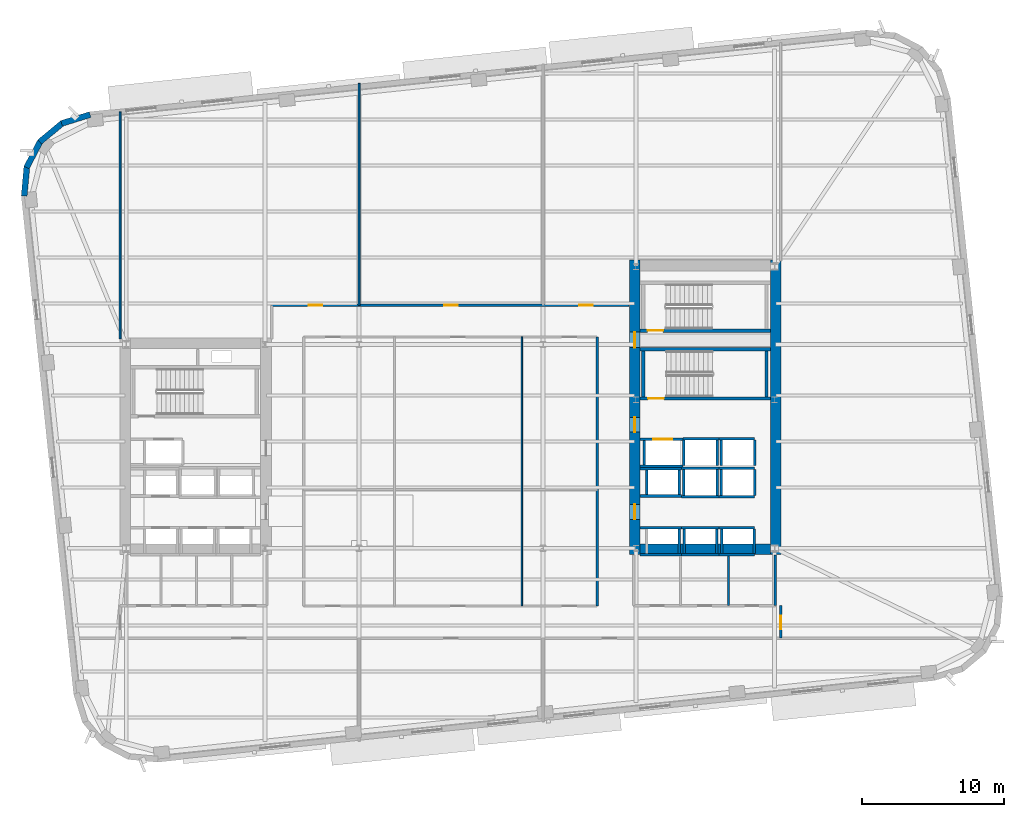
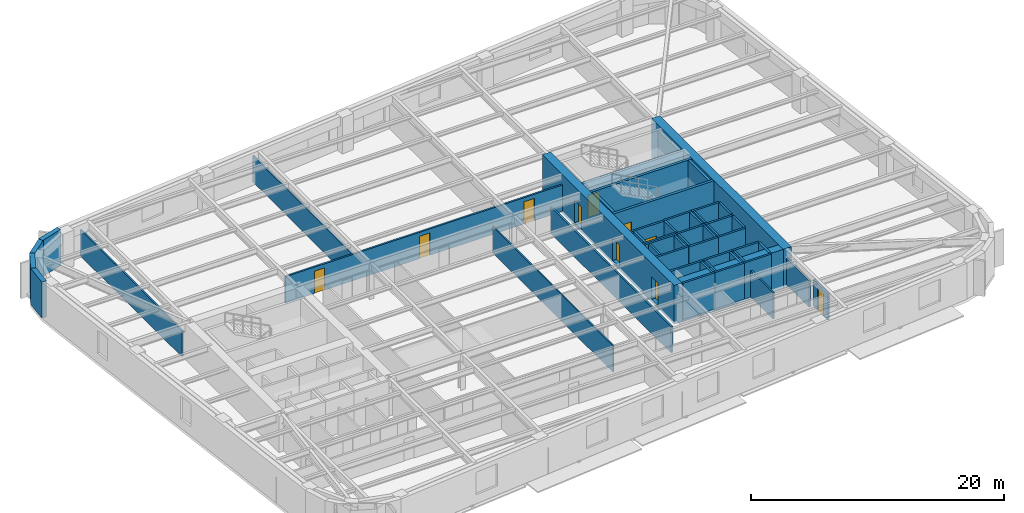
# One storey, part 6 of 14: 52 walls, 10 doors, 10 openings.
"""IFC4 building model written with IfcOpenShell, lengths in metres."""

from ifc_helpers import new_model, si_unit, direction, frame, frame_2d, origin, place, context, subcontext, project, spatial, rectangle, extrude, material, layer, layer_set, type_object, element, fill, save


model = new_model("IFC4")

# Units and contexts
model_context = context("Model", 3, precision=1e-05, world=origin(), true_north=direction((0.0, 1.0)))
body_context = subcontext(model_context, "Body", "Model", "MODEL_VIEW")
ifc_project = project(units=[si_unit("LENGTHUNIT", "METRE"), si_unit("AREAUNIT", "SQUARE_METRE"), si_unit("VOLUMEUNIT", "CUBIC_METRE"), si_unit("PLANEANGLEUNIT", "RADIAN"), si_unit("MASSUNIT", "GRAM", prefix="KILO")], contexts=[model_context])

# Site, building, storey
site_placement = place(None, origin())
site = spatial("IfcSite", under=ifc_project, at=site_placement, CompositionType="ELEMENT")
building_placement = place(site_placement, origin())
building = spatial("IfcBuilding", under=site, at=building_placement, Name="Kolvaren Arena Tower", CompositionType="ELEMENT")
storey_placement = place(building_placement, frame((0.0, 0.0, 130.75)))
storey = spatial("IfcBuildingStorey", under=building, at=storey_placement, Name="L30", CompositionType="ELEMENT", Elevation=130.75)

# Wall, openings, doors
ifc_material_1 = material(Name="Gypsum board acoustic assembly", Category="gypsum")
ifc_layer_1 = layer(ifc_material_1, 0.159912109375)
ifc_layer_set_1 = layer_set([ifc_layer_1], Name="Gypsum board acoustic assembly")
wall_type_1 = type_object("IfcWallType", Name="CORR-160", PredefinedType="PARTITIONING", material=ifc_layer_set_1)
wall_1_placement = place(storey_placement, frame((24.820068359375, 36.6201171875, 0.0), z_axis=(0.0, 0.0, 1.0), x_axis=(1.0, 0.0, 0.0)))
wall_1 = element("IfcWall", 1, at=wall_1_placement, inside=storey, type_object=wall_type_1, Name="Interior Partition Wall (L30)", PredefinedType="PARTITIONING", context=body_context, shape_type="SweptSolid", body=[
    extrude(rectangle(XDim=25.260009765625, YDim=0.159912109375, at=frame_2d((12.6298828125, 0.0))), origin(), (0.0, 0.0, 1.0), 2.5400390625),
])
opening_1_placement = place(wall_1_placement, frame((2.6298828125, 0.0, 0.0)))
opening_1 = element("IfcOpeningElement", 2, at=opening_1_placement, cuts=wall_1, Name="Opening D05", PredefinedType="OPENING", context=body_context, shape_type="SweptSolid", body=[
    extrude(rectangle(XDim=0.949951171875, YDim=2.14990234375, at=frame_2d((0.47509765625, 1.074951171875))), frame((0.0, 0.08984375, 0.0), z_axis=(0.0, -1.0, 0.0), x_axis=(1.0, 0.0, 0.0)), (0.0, 0.0, 1.0), 0.179931640625),
])
opening_2_placement = place(wall_1_placement, frame((12.205078125, 0.0, 0.0)))
opening_2 = element("IfcOpeningElement", 3, at=opening_2_placement, cuts=wall_1, Name="Opening D05", PredefinedType="OPENING", context=body_context, shape_type="SweptSolid", body=[
    extrude(rectangle(XDim=0.949951171875, YDim=2.14990234375, at=frame_2d((0.47509765625, 1.074951171875))), frame((0.0, 0.08984375, 0.0), z_axis=(0.0, -1.0, 0.0), x_axis=(1.0, 0.0, 0.0)), (0.0, 0.0, 1.0), 0.179931640625),
])
opening_3_placement = place(wall_1_placement, frame((21.72998046875, 0.0, 0.0)))
opening_3 = element("IfcOpeningElement", 4, at=opening_3_placement, cuts=wall_1, Name="Opening D05", PredefinedType="OPENING", context=body_context, shape_type="SweptSolid", body=[
    extrude(rectangle(XDim=0.949951171875, YDim=2.14990234375, at=frame_2d((0.47509765625, 1.074951171875))), frame((0.0, 0.08984375, 0.0), z_axis=(0.0, -1.0, 0.0), x_axis=(1.0, 0.0, 0.0)), (0.0, 0.0, 1.0), 0.179931640625),
])
ifc_material_2 = material(Name="Solid-core oak acoustic office door", Category="wood")
door_type_1 = type_object("IfcDoorType", Name="DOOR-OF-095", OperationType="NOTDEFINED", PredefinedType="DOOR", material=ifc_material_2)
door_1_placement = place(opening_1_placement, origin())
door_1 = element("IfcDoor", 5, at=door_1_placement, inside=storey, type_object=door_type_1, Name="Open Plan Office Door (L30)", OperationType="SINGLE_SWING_LEFT", OverallHeight=2.14990234375, OverallWidth=0.949951171875, PredefinedType="DOOR", context=body_context, shape_type="SweptSolid", body=[
    extrude(rectangle(XDim=0.949951171875, YDim=2.14990234375, at=frame_2d((0.47509765625, 1.074951171875))), frame((0.0, 0.02490234375, 0.0), z_axis=(0.0, -1.0, 0.0), x_axis=(1.0, 0.0, 0.0)), (0.0, 0.0, 1.0), 0.050048828125),
])
fill(opening_1, door_1)
door_2_placement = place(opening_2_placement, origin())
door_2 = element("IfcDoor", 6, at=door_2_placement, inside=storey, type_object=door_type_1, Name="Corporate Project Office Door (L30)", OperationType="SINGLE_SWING_RIGHT", OverallHeight=2.14990234375, OverallWidth=0.949951171875, PredefinedType="DOOR", context=body_context, shape_type="SweptSolid", body=[
    extrude(rectangle(XDim=0.949951171875, YDim=2.14990234375, at=frame_2d((0.47509765625, 1.074951171875))), frame((0.0, 0.02490234375, 0.0), z_axis=(0.0, -1.0, 0.0), x_axis=(1.0, 0.0, 0.0)), (0.0, 0.0, 1.0), 0.050048828125),
])
fill(opening_2, door_2)
door_3_placement = place(opening_3_placement, origin())
door_3 = element("IfcDoor", 7, at=door_3_placement, inside=storey, type_object=door_type_1, Name="Breakout Pantry and Kitchen Door (L30)", OperationType="SINGLE_SWING_LEFT", OverallHeight=2.14990234375, OverallWidth=0.949951171875, PredefinedType="DOOR", context=body_context, shape_type="SweptSolid", body=[
    extrude(rectangle(XDim=0.949951171875, YDim=2.14990234375, at=frame_2d((0.47509765625, 1.074951171875))), frame((0.0, 0.02490234375, 0.0), z_axis=(0.0, -1.0, 0.0), x_axis=(1.0, 0.0, 0.0)), (0.0, 0.0, 1.0), 0.050048828125),
])
fill(opening_3, door_3)

# Wall
wall_2_placement = place(storey_placement, frame((47.820068359375, 15.3798828125, 0.0), z_axis=(0.0, 0.0, 1.0), x_axis=(0.0, 1.0, 0.0)))
element("IfcWall", 8, at=wall_2_placement, inside=storey, type_object=wall_type_1, Name="Interior Partition Wall (L30)", PredefinedType="PARTITIONING", context=body_context, shape_type="SweptSolid", body=[
    extrude(rectangle(XDim=19.0, YDim=0.159912109375, at=frame_2d((9.5, 0.0))), origin(), (0.0, 0.0, 1.0), 2.5400390625),
])

# Wall, opening, door
wall_3_placement = place(storey_placement, frame((60.780029296875, 13.10009765625, 0.0), z_axis=(0.0, 0.0, 1.0), x_axis=(0.0, 1.0, 0.0)))
wall_3 = element("IfcWall", 9, at=wall_3_placement, inside=storey, type_object=wall_type_1, Name="Interior Partition Wall (L30)", PredefinedType="PARTITIONING", context=body_context, shape_type="SweptSolid", body=[
    extrude(rectangle(XDim=2.2998046875, YDim=0.159912109375, at=frame_2d((1.14990234375, 0.0))), origin(), (0.0, 0.0, 1.0), 2.5400390625),
])
opening_4_placement = place(wall_3_placement, frame((0.64990234375, 0.0, 0.0)))
opening_4 = element("IfcOpeningElement", 10, at=opening_4_placement, cuts=wall_3, Name="Opening D05", PredefinedType="OPENING", context=body_context, shape_type="SweptSolid", body=[
    extrude(rectangle(XDim=0.949951171875, YDim=2.14990234375, at=frame_2d((0.47509765625, 1.074951171875))), frame((0.0, 0.08984375, 0.0), z_axis=(0.0, -1.0, 0.0), x_axis=(1.0, 0.0, 0.0)), (0.0, 0.0, 1.0), 0.179931640625),
])
door_4_placement = place(opening_4_placement, origin())
door_4 = element("IfcDoor", 11, at=door_4_placement, inside=storey, type_object=door_type_1, Name="East Wing Studio Door (L30)", OperationType="SINGLE_SWING_RIGHT", OverallHeight=2.14990234375, OverallWidth=0.949951171875, PredefinedType="DOOR", context=body_context, shape_type="SweptSolid", body=[
    extrude(rectangle(XDim=0.949951171875, YDim=2.14990234375, at=frame_2d((0.47509765625, 1.074951171875))), frame((0.0, 0.02490234375, 0.0), z_axis=(0.0, -1.0, 0.0), x_axis=(1.0, 0.0, 0.0)), (0.0, 0.0, 1.0), 0.050048828125),
])
fill(opening_4, door_4)

# Wall, openings, doors
ifc_material_3 = material(Name="Concrete 70 MPa", Category="concrete")
ifc_layer_2 = layer(ifc_material_3, 0.75)
ifc_layer_set_2 = layer_set([ifc_layer_2], Name="Concrete 70 MPa")
wall_type_2 = type_object("IfcWallType", Name="CWALL-750", PredefinedType="SHEAR", material=ifc_layer_set_2)
wall_4_placement = place(storey_placement, frame((50.47509765625, 19.0, -0.27001953125), z_axis=(0.0, 0.0, 1.0), x_axis=(0.0, 1.0, 0.0)))
wall_4 = element("IfcWall", 12, at=wall_4_placement, inside=storey, type_object=wall_type_2, Name="Core Shear Wall EC-WEST (L30)", PredefinedType="SHEAR", context=body_context, shape_type="SweptSolid", body=[
    extrude(rectangle(XDim=20.800048828125, YDim=0.75, at=frame_2d((10.39990234375, 0.0))), origin(), (0.0, 0.0, 1.0), 3.75),
])
opening_5_placement = place(wall_4_placement, frame((2.5, 0.0, 0.27001953125)))
opening_5 = element("IfcOpeningElement", 13, at=opening_5_placement, cuts=wall_4, Name="Opening D04", PredefinedType="OPENING", context=body_context, shape_type="SweptSolid", body=[
    extrude(rectangle(XDim=1.050048828125, YDim=2.14990234375, at=frame_2d((0.52490234375, 1.074951171875))), frame((0.0, 0.385009765625, 0.0), z_axis=(0.0, -1.0, 0.0), x_axis=(1.0, 0.0, 0.0)), (0.0, 0.0, 1.0), 0.77001953125),
])
opening_6_placement = place(wall_4_placement, frame((8.64990234375, 0.0, 0.27001953125)))
opening_6 = element("IfcOpeningElement", 14, at=opening_6_placement, cuts=wall_4, Name="Opening D04", PredefinedType="OPENING", context=body_context, shape_type="SweptSolid", body=[
    extrude(rectangle(XDim=1.050048828125, YDim=2.14990234375, at=frame_2d((0.52490234375, 1.074951171875))), frame((0.0, 0.385009765625, 0.0), z_axis=(0.0, -1.0, 0.0), x_axis=(1.0, 0.0, 0.0)), (0.0, 0.0, 1.0), 0.77001953125),
])
opening_7_placement = place(wall_4_placement, frame((14.6201171875, 0.0, 0.27001953125)))
opening_7 = element("IfcOpeningElement", 15, at=opening_7_placement, cuts=wall_4, Name="Opening D03", PredefinedType="OPENING", context=body_context, shape_type="SweptSolid", body=[
    extrude(rectangle(XDim=1.10009765625, YDim=2.14990234375, at=frame_2d((0.550048828125, 1.074951171875))), frame((0.0, 0.385009765625, 0.0), z_axis=(0.0, -1.0, 0.0), x_axis=(1.0, 0.0, 0.0)), (0.0, 0.0, 1.0), 0.77001953125),
])
ifc_material_4 = material(Name="Fire-rated steel lobby door", Category="steel")
door_type_2 = type_object("IfcDoorType", Name="DOOR-FF-105", OperationType="NOTDEFINED", PredefinedType="DOOR", material=ifc_material_4)
door_5_placement = place(opening_5_placement, origin())
door_5 = element("IfcDoor", 16, at=door_5_placement, inside=storey, type_object=door_type_2, Name="East Lift Lobby Fire Door (L30)", OperationType="SINGLE_SWING_RIGHT", OverallHeight=2.14990234375, OverallWidth=1.050048828125, PredefinedType="DOOR", context=body_context, shape_type="SweptSolid", body=[
    extrude(rectangle(XDim=1.050048828125, YDim=2.14990234375, at=frame_2d((0.52490234375, 1.074951171875))), frame((0.0, 0.02490234375, 0.0), z_axis=(0.0, -1.0, 0.0), x_axis=(1.0, 0.0, 0.0)), (0.0, 0.0, 1.0), 0.050048828125),
])
fill(opening_5, door_5)
door_6_placement = place(opening_6_placement, origin())
door_6 = element("IfcDoor", 17, at=door_6_placement, inside=storey, type_object=door_type_2, Name="East Firefighter Vestibule Door (L30)", OperationType="SINGLE_SWING_LEFT", OverallHeight=2.14990234375, OverallWidth=1.050048828125, PredefinedType="DOOR", context=body_context, shape_type="SweptSolid", body=[
    extrude(rectangle(XDim=1.050048828125, YDim=2.14990234375, at=frame_2d((0.52490234375, 1.074951171875))), frame((0.0, 0.02490234375, 0.0), z_axis=(0.0, -1.0, 0.0), x_axis=(1.0, 0.0, 0.0)), (0.0, 0.0, 1.0), 0.050048828125),
])
fill(opening_6, door_6)
ifc_material_5 = material(Name="Fire-rated steel exit stair door", Category="steel")
door_type_3 = type_object("IfcDoorType", Name="DOOR-ST-110", OperationType="NOTDEFINED", PredefinedType="DOOR", material=ifc_material_5)
door_7_placement = place(opening_7_placement, origin())
door_7 = element("IfcDoor", 18, at=door_7_placement, inside=storey, type_object=door_type_3, Name="Stair ST-E2 Vestibule Fire Door (L30)", OperationType="SINGLE_SWING_LEFT", OverallHeight=2.14990234375, OverallWidth=1.10009765625, PredefinedType="DOOR", context=body_context, shape_type="SweptSolid", body=[
    extrude(rectangle(XDim=1.10009765625, YDim=2.14990234375, at=frame_2d((0.550048828125, 1.074951171875))), frame((0.0, 0.02490234375, 0.0), z_axis=(0.0, -1.0, 0.0), x_axis=(1.0, 0.0, 0.0)), (0.0, 0.0, 1.0), 0.050048828125),
])
fill(opening_7, door_7)

# Walls
wall_5_placement = place(storey_placement, frame((60.425048828125, 19.0, -0.27001953125), z_axis=(0.0, 0.0, 1.0), x_axis=(0.0, 1.0, 0.0)))
element("IfcWall", 19, at=wall_5_placement, inside=storey, type_object=wall_type_2, Name="Core Shear Wall EC-EAST (L30)", PredefinedType="SHEAR", context=body_context, shape_type="SweptSolid", body=[
    extrude(rectangle(XDim=20.800048828125, YDim=0.75, at=frame_2d((10.39990234375, 0.0))), origin(), (0.0, 0.0, 1.0), 3.75),
])
wall_6_placement = place(storey_placement, frame((50.85009765625, 19.375, -0.27001953125), z_axis=(0.0, 0.0, 1.0), x_axis=(1.0, 0.0, 0.0)))
element("IfcWall", 20, at=wall_6_placement, inside=storey, type_object=wall_type_2, Name="Core Shear Wall EC-SOUTH (L30)", PredefinedType="SHEAR", context=body_context, shape_type="SweptSolid", body=[
    extrude(rectangle(XDim=9.199951171875, YDim=0.75, at=frame_2d((4.60009765625, 0.0))), origin(), (0.0, 0.0, 1.0), 3.75),
])
ifc_material_6 = material(Name="Precast concrete C50/60", Category="concrete")
ifc_layer_3 = layer(ifc_material_6, 0.419921875)
ifc_layer_set_3 = layer_set([ifc_layer_3], Name="Precast concrete C50/60")
wall_type_3 = type_object("IfcWallType", Name="EXT-PIER1", PredefinedType="SOLIDWALL", material=ifc_layer_set_3)
wall_7_placement = place(storey_placement, frame((9.98681640625, 49.463134765625, 0.0), z_axis=(0.0, 0.0, 1.0), x_axis=(0.955016613791, 0.296552301261, 0.0)))
element("IfcWall", 21, at=wall_7_placement, inside=storey, type_object=wall_type_3, Name="Exterior Precast Masonry-Frame Wall (L30)", PredefinedType="SOLIDWALL", context=body_context, shape_type="SweptSolid", body=[
    extrude(rectangle(XDim=2.106689453125, YDim=0.419921875, at=frame_2d((1.05322265625, 0.0))), origin(), (0.0, 0.0, 1.0), 3.47998046875),
])
wall_8_placement = place(storey_placement, frame((8.438720703125, 48.15478515625, 0.0), z_axis=(0.0, 0.0, 1.0), x_axis=(0.768800317178, 0.639488914921, 0.0)))
element("IfcWall", 22, at=wall_8_placement, inside=storey, type_object=wall_type_3, Name="Exterior Precast Masonry-Frame Wall (L30)", PredefinedType="SOLIDWALL", context=body_context, shape_type="SweptSolid", body=[
    extrude(rectangle(XDim=2.10693359375, YDim=0.419921875, at=frame_2d((1.053466796875, 0.0))), origin(), (0.0, 0.0, 1.0), 3.47998046875),
])
wall_9_placement = place(storey_placement, frame((7.50927734375, 46.35400390625, 0.0), z_axis=(0.0, 0.0, 1.0), x_axis=(0.465612698516, 0.884988595961, 0.0)))
element("IfcWall", 23, at=wall_9_placement, inside=storey, type_object=wall_type_3, Name="Exterior Precast Masonry-Frame Wall (L30)", PredefinedType="SOLIDWALL", context=body_context, shape_type="SweptSolid", body=[
    extrude(rectangle(XDim=2.106689453125, YDim=0.419921875, at=frame_2d((1.05322265625, 0.0))), origin(), (0.0, 0.0, 1.0), 3.47998046875),
])
wall_10_placement = place(storey_placement, frame((7.339599609375, 44.33447265625, 0.0), z_axis=(0.0, 0.0, 1.0), x_axis=(0.091538655308, 0.995801523691, 0.0)))
element("IfcWall", 24, at=wall_10_placement, inside=storey, type_object=wall_type_3, Name="Exterior Precast Masonry-Frame Wall (L30)", PredefinedType="SOLIDWALL", context=body_context, shape_type="SweptSolid", body=[
    extrude(rectangle(XDim=2.10693359375, YDim=0.419921875, at=frame_2d((1.053466796875, 0.0))), origin(), (0.0, 0.0, 1.0), 3.47998046875),
])
ifc_material_7 = material(Name="Gypsum board partition assembly", Category="gypsum")
ifc_layer_4 = layer(ifc_material_7, 0.114990234375)
ifc_layer_set_4 = layer_set([ifc_layer_4], Name="Gypsum board partition assembly")
wall_type_4 = type_object("IfcWallType", Name="PART-115", PredefinedType="PARTITIONING", material=ifc_layer_set_4)
wall_11_placement = place(storey_placement, frame((42.5, 15.3798828125, 0.0), z_axis=(0.0, 0.0, 1.0), x_axis=(0.0, 1.0, 0.0)))
element("IfcWall", 25, at=wall_11_placement, inside=storey, type_object=wall_type_4, Name="Interior Partition Wall (L30)", PredefinedType="PARTITIONING", context=body_context, shape_type="SweptSolid", body=[
    extrude(rectangle(XDim=19.0, YDim=0.114990234375, at=frame_2d((9.5, 0.0))), origin(), (0.0, 0.0, 1.0), 2.5400390625),
])
ifc_layer_5 = layer(ifc_material_7, 0.135009765625)
ifc_layer_set_5 = layer_set([ifc_layer_5], Name="Gypsum board partition assembly")
wall_type_5 = type_object("IfcWallType", Name="PART-135", PredefinedType="PARTITIONING", material=ifc_layer_set_5)
wall_12_placement = place(storey_placement, frame((31.0, 36.6201171875, 0.0), z_axis=(0.0, 0.0, 1.0), x_axis=(0.0, 1.0, 0.0)))
element("IfcWall", 26, at=wall_12_placement, inside=storey, type_object=wall_type_5, Name="Interior Partition Wall (L30)", PredefinedType="PARTITIONING", context=body_context, shape_type="SweptSolid", body=[
    extrude(rectangle(XDim=15.671875, YDim=0.135009765625, at=frame_2d((7.8359375, 0.0))), origin(), (0.0, 0.0, 1.0), 2.5400390625),
])
wall_13_placement = place(storey_placement, frame((14.1201171875, 34.25, 0.0), z_axis=(0.0, 0.0, 1.0), x_axis=(0.0, 1.0, 0.0)))
element("IfcWall", 27, at=wall_13_placement, inside=storey, type_object=wall_type_5, Name="Interior Partition Wall (L30)", PredefinedType="PARTITIONING", context=body_context, shape_type="SweptSolid", body=[
    extrude(rectangle(XDim=16.026611328125, YDim=0.135009765625, at=frame_2d((8.01318359375, 0.0))), origin(), (0.0, 0.0, 1.0), 2.5400390625),
])

# Wall, opening, door
ifc_material_8 = material(Name="Concrete 45 MPa", Category="concrete")
ifc_layer_6 = layer(ifc_material_8, 0.25)
ifc_layer_set_6 = layer_set([ifc_layer_6], Name="Concrete 45 MPa")
wall_type_6 = type_object("IfcWallType", Name="SHAFT-250", PredefinedType="SOLIDWALL", material=ifc_layer_set_6)
wall_14_placement = place(storey_placement, frame((60.050048828125, 30.030029296875, 0.0), z_axis=(0.0, 0.0, 1.0), x_axis=(-1.0, 0.0, 0.0)))
wall_14 = element("IfcWall", 28, at=wall_14_placement, inside=storey, type_object=wall_type_6, Name="Core Shaft Wall (L30)", PredefinedType="SOLIDWALL", context=body_context, shape_type="SweptSolid", body=[
    extrude(rectangle(XDim=9.199951171875, YDim=0.239990234375, at=frame_2d((4.60009765625, 0.0))), origin(), (0.0, 0.0, 1.0), 3.47998046875),
])
opening_8_placement = place(wall_14_placement, frame((7.530029296875, 0.0, 0.0)))
opening_8 = element("IfcOpeningElement", 29, at=opening_8_placement, cuts=wall_14, Name="Opening D03", PredefinedType="OPENING", context=body_context, shape_type="SweptSolid", body=[
    extrude(rectangle(XDim=1.10009765625, YDim=2.14990234375, at=frame_2d((0.550048828125, 1.074951171875))), frame((0.0, 0.1298828125, 0.0), z_axis=(0.0, -1.0, 0.0), x_axis=(1.0, 0.0, 0.0)), (0.0, 0.0, 1.0), 0.260009765625),
])
door_8_placement = place(opening_8_placement, origin())
door_8 = element("IfcDoor", 30, at=door_8_placement, inside=storey, type_object=door_type_3, Name="Stair ST-E1 Fire Door (L30)", OperationType="SINGLE_SWING_LEFT", OverallHeight=2.14990234375, OverallWidth=1.10009765625, PredefinedType="DOOR", context=body_context, shape_type="SweptSolid", body=[
    extrude(rectangle(XDim=1.10009765625, YDim=2.14990234375, at=frame_2d((0.550048828125, 1.074951171875))), frame((0.0, 0.02490234375, 0.0), z_axis=(0.0, -1.0, 0.0), x_axis=(1.0, 0.0, 0.0)), (0.0, 0.0, 1.0), 0.050048828125),
])
fill(opening_8, door_8)

# Walls
wall_15_placement = place(storey_placement, frame((50.85009765625, 33.5, 0.0), z_axis=(0.0, 0.0, 1.0), x_axis=(1.0, 0.0, 0.0)))
element("IfcWall", 31, at=wall_15_placement, inside=storey, type_object=wall_type_6, Name="Core Shaft Wall (L30)", PredefinedType="SOLIDWALL", context=body_context, shape_type="SweptSolid", body=[
    extrude(rectangle(XDim=9.199951171875, YDim=0.239990234375, at=frame_2d((4.60009765625, 0.0))), origin(), (0.0, 0.0, 1.0), 3.47998046875),
])
for number, where, z_axis, x_axis, name in (
    (32, (51.06005859375, 30.14990234375, 0.0), (0.0, 0.0, 1.0), (0.0, 1.0, 0.0), "Core Shaft Wall (L30)"),
    (33, (59.780029296875, 30.14990234375, 0.0), (0.0, 0.0, 1.0), (0.0, 1.0, 0.0), "Core Shaft Wall (L30)"),
):
    element("IfcWall", number, at=place(storey_placement, frame(where, z_axis=z_axis, x_axis=x_axis)), inside=storey, type_object=wall_type_6, Name=name, PredefinedType="SOLIDWALL", context=body_context, shape_type="SweptSolid", body=[
        extrude(rectangle(XDim=3.22998046875, YDim=0.239990234375, at=frame_2d((1.614990234375, 0.0))), origin(), (0.0, 0.0, 1.0), 3.47998046875),
    ])

# Wall, opening, door
wall_16_placement = place(storey_placement, frame((60.050048828125, 34.830078125, 0.0), z_axis=(0.0, 0.0, 1.0), x_axis=(-1.0, 0.0, 0.0)))
wall_16 = element("IfcWall", 34, at=wall_16_placement, inside=storey, type_object=wall_type_6, Name="Core Shaft Wall (L30)", PredefinedType="SOLIDWALL", context=body_context, shape_type="SweptSolid", body=[
    extrude(rectangle(XDim=9.199951171875, YDim=0.239990234375, at=frame_2d((4.60009765625, 0.0))), origin(), (0.0, 0.0, 1.0), 3.47998046875),
])
opening_9_placement = place(wall_16_placement, frame((7.570068359375, 0.0, 0.0)))
opening_9 = element("IfcOpeningElement", 35, at=opening_9_placement, cuts=wall_16, Name="Opening D03", PredefinedType="OPENING", context=body_context, shape_type="SweptSolid", body=[
    extrude(rectangle(XDim=1.10009765625, YDim=2.14990234375, at=frame_2d((0.550048828125, 1.074951171875))), frame((0.0, 0.1298828125, 0.0), z_axis=(0.0, -1.0, 0.0), x_axis=(1.0, 0.0, 0.0)), (0.0, 0.0, 1.0), 0.260009765625),
])
door_9_placement = place(opening_9_placement, origin())
door_9 = element("IfcDoor", 36, at=door_9_placement, inside=storey, type_object=door_type_3, Name="Stair ST-E2 Fire Door (L30)", OperationType="SINGLE_SWING_LEFT", OverallHeight=2.14990234375, OverallWidth=1.10009765625, PredefinedType="DOOR", context=body_context, shape_type="SweptSolid", body=[
    extrude(rectangle(XDim=1.10009765625, YDim=2.14990234375, at=frame_2d((0.550048828125, 1.074951171875))), frame((0.0, 0.02490234375, 0.0), z_axis=(0.0, -1.0, 0.0), x_axis=(1.0, 0.0, 0.0)), (0.0, 0.0, 1.0), 0.050048828125),
])
fill(opening_9, door_9)

# Walls
for number, where, z_axis, x_axis, name in (
    (37, (50.85009765625, 20.905029296875, 0.0), (0.0, 0.0, 1.0), (1.0, 0.0, 0.0), "Core Shaft Wall (L30)"),
    (38, (50.85009765625, 18.9951171875, 0.0), (0.0, 0.0, 1.0), (1.0, 0.0, 0.0), "Core Shaft Wall (L30)"),
):
    element("IfcWall", number, at=place(storey_placement, frame(where, z_axis=z_axis, x_axis=x_axis)), inside=storey, type_object=wall_type_6, Name=name, PredefinedType="SOLIDWALL", context=body_context, shape_type="SweptSolid", body=[
        extrude(rectangle(XDim=2.93994140625, YDim=0.179931640625, at=frame_2d((1.469970703125, 0.0))), origin(), (0.0, 0.0, 1.0), 3.47998046875),
    ])
wall_17_placement = place(storey_placement, frame((53.614990234375, 19.0849609375, 0.0), z_axis=(0.0, 0.0, 1.0), x_axis=(0.0, 1.0, 0.0)))
element("IfcWall", 39, at=wall_17_placement, inside=storey, type_object=wall_type_6, Name="Core Shaft Wall (L30)", PredefinedType="SOLIDWALL", context=body_context, shape_type="SweptSolid", body=[
    extrude(rectangle(XDim=1.72998046875, YDim=0.179931640625, at=frame_2d((0.864990234375, 0.0))), origin(), (0.0, 0.0, 1.0), 3.47998046875),
])
for number, where, z_axis, x_axis, name in (
    (40, (53.7900390625, 20.905029296875, 0.0), (0.0, 0.0, 1.0), (1.0, 0.0, 0.0), "Core Shaft Wall (L30)"),
    (41, (53.7900390625, 18.9951171875, 0.0), (0.0, 0.0, 1.0), (1.0, 0.0, 0.0), "Core Shaft Wall (L30)"),
):
    element("IfcWall", number, at=place(storey_placement, frame(where, z_axis=z_axis, x_axis=x_axis)), inside=storey, type_object=wall_type_6, Name=name, PredefinedType="SOLIDWALL", context=body_context, shape_type="SweptSolid", body=[
        extrude(rectangle(XDim=2.64990234375, YDim=0.179931640625, at=frame_2d((1.324951171875, 0.0))), origin(), (0.0, 0.0, 1.0), 3.47998046875),
    ])
for number, where, z_axis, x_axis, name in (
    (42, (53.965087890625, 19.0849609375, 0.0), (0.0, 0.0, 1.0), (0.0, 1.0, 0.0), "Core Shaft Wall (L30)"),
    (43, (56.27490234375, 19.0849609375, 0.0), (0.0, 0.0, 1.0), (0.0, 1.0, 0.0), "Core Shaft Wall (L30)"),
):
    element("IfcWall", number, at=place(storey_placement, frame(where, z_axis=z_axis, x_axis=x_axis)), inside=storey, type_object=wall_type_6, Name=name, PredefinedType="SOLIDWALL", context=body_context, shape_type="SweptSolid", body=[
        extrude(rectangle(XDim=1.72998046875, YDim=0.179931640625, at=frame_2d((0.864990234375, 0.0))), origin(), (0.0, 0.0, 1.0), 3.47998046875),
    ])
for number, where, z_axis, x_axis, name in (
    (44, (56.43994140625, 20.905029296875, 0.0), (0.0, 0.0, 1.0), (1.0, 0.0, 0.0), "Core Shaft Wall (L30)"),
    (45, (56.43994140625, 18.9951171875, 0.0), (0.0, 0.0, 1.0), (1.0, 0.0, 0.0), "Core Shaft Wall (L30)"),
):
    element("IfcWall", number, at=place(storey_placement, frame(where, z_axis=z_axis, x_axis=x_axis)), inside=storey, type_object=wall_type_6, Name=name, PredefinedType="SOLIDWALL", context=body_context, shape_type="SweptSolid", body=[
        extrude(rectangle(XDim=2.47509765625, YDim=0.179931640625, at=frame_2d((1.237548828125, 0.0))), origin(), (0.0, 0.0, 1.0), 3.47998046875),
    ])
for number, where, z_axis, x_axis, name in (
    (46, (56.60498046875, 19.0849609375, 0.0), (0.0, 0.0, 1.0), (0.0, 1.0, 0.0), "Core Shaft Wall (L30)"),
    (47, (58.9150390625, 19.0849609375, 0.0), (0.0, 0.0, 1.0), (0.0, 1.0, 0.0), "Core Shaft Wall (L30)"),
):
    element("IfcWall", number, at=place(storey_placement, frame(where, z_axis=z_axis, x_axis=x_axis)), inside=storey, type_object=wall_type_6, Name=name, PredefinedType="SOLIDWALL", context=body_context, shape_type="SweptSolid", body=[
        extrude(rectangle(XDim=1.72998046875, YDim=0.179931640625, at=frame_2d((0.864990234375, 0.0))), origin(), (0.0, 0.0, 1.0), 3.47998046875),
    ])
for number, where, z_axis, x_axis, name in (
    (48, (50.85009765625, 25.054931640625, 0.0), (0.0, 0.0, 1.0), (1.0, 0.0, 0.0), "Core Shaft Wall (L30)"),
    (49, (50.85009765625, 23.14501953125, 0.0), (0.0, 0.0, 1.0), (1.0, 0.0, 0.0), "Core Shaft Wall (L30)"),
):
    element("IfcWall", number, at=place(storey_placement, frame(where, z_axis=z_axis, x_axis=x_axis)), inside=storey, type_object=wall_type_6, Name=name, PredefinedType="SOLIDWALL", context=body_context, shape_type="SweptSolid", body=[
        extrude(rectangle(XDim=2.927490234375, YDim=0.179931640625, at=frame_2d((1.4638671875, 0.0))), origin(), (0.0, 0.0, 1.0), 3.47998046875),
    ])
for number, where, z_axis, x_axis, name in (
    (50, (51.304931640625, 23.235107421875, 0.0), (0.0, 0.0, 1.0), (0.0, 1.0, 0.0), "Core Shaft Wall (L30)"),
    (51, (53.614990234375, 23.235107421875, 0.0), (0.0, 0.0, 1.0), (0.0, 1.0, 0.0), "Core Shaft Wall (L30)"),
):
    element("IfcWall", number, at=place(storey_placement, frame(where, z_axis=z_axis, x_axis=x_axis)), inside=storey, type_object=wall_type_6, Name=name, PredefinedType="SOLIDWALL", context=body_context, shape_type="SweptSolid", body=[
        extrude(rectangle(XDim=1.72998046875, YDim=0.179931640625, at=frame_2d((0.864990234375, 0.0))), origin(), (0.0, 0.0, 1.0), 3.47998046875),
    ])
for number, where, z_axis, x_axis, name in (
    (52, (53.777587890625, 25.10498046875, 0.0), (0.0, 0.0, 1.0), (1.0, 0.0, 0.0), "Core Shaft Wall (L30)"),
    (53, (53.777587890625, 23.094970703125, 0.0), (0.0, 0.0, 1.0), (1.0, 0.0, 0.0), "Core Shaft Wall (L30)"),
):
    element("IfcWall", number, at=place(storey_placement, frame(where, z_axis=z_axis, x_axis=x_axis)), inside=storey, type_object=wall_type_6, Name=name, PredefinedType="SOLIDWALL", context=body_context, shape_type="SweptSolid", body=[
        extrude(rectangle(XDim=2.662353515625, YDim=0.179931640625, at=frame_2d((1.3310546875, 0.0))), origin(), (0.0, 0.0, 1.0), 3.47998046875),
    ])
for number, where, z_axis, x_axis, name in (
    (54, (53.93994140625, 23.18505859375, 0.0), (0.0, 0.0, 1.0), (0.0, 1.0, 0.0), "Core Shaft Wall (L30)"),
    (55, (56.300048828125, 23.18505859375, 0.0), (0.0, 0.0, 1.0), (0.0, 1.0, 0.0), "Core Shaft Wall (L30)"),
):
    element("IfcWall", number, at=place(storey_placement, frame(where, z_axis=z_axis, x_axis=x_axis)), inside=storey, type_object=wall_type_6, Name=name, PredefinedType="SOLIDWALL", context=body_context, shape_type="SweptSolid", body=[
        extrude(rectangle(XDim=1.829833984375, YDim=0.179931640625, at=frame_2d((0.9150390625, 0.0))), origin(), (0.0, 0.0, 1.0), 3.47998046875),
    ])
for number, where, z_axis, x_axis, name in (
    (56, (56.43994140625, 25.10498046875, 0.0), (0.0, 0.0, 1.0), (1.0, 0.0, 0.0), "Core Shaft Wall (L30)"),
    (57, (56.43994140625, 23.094970703125, 0.0), (0.0, 0.0, 1.0), (1.0, 0.0, 0.0), "Core Shaft Wall (L30)"),
):
    element("IfcWall", number, at=place(storey_placement, frame(where, z_axis=z_axis, x_axis=x_axis)), inside=storey, type_object=wall_type_6, Name=name, PredefinedType="SOLIDWALL", context=body_context, shape_type="SweptSolid", body=[
        extrude(rectangle(XDim=2.5, YDim=0.179931640625, at=frame_2d((1.25, 0.0))), origin(), (0.0, 0.0, 1.0), 3.47998046875),
    ])
for number, where, z_axis, x_axis, name in (
    (58, (56.580078125, 23.18505859375, 0.0), (0.0, 0.0, 1.0), (0.0, 1.0, 0.0), "Core Shaft Wall (L30)"),
    (59, (58.93994140625, 23.18505859375, 0.0), (0.0, 0.0, 1.0), (0.0, 1.0, 0.0), "Core Shaft Wall (L30)"),
):
    element("IfcWall", number, at=place(storey_placement, frame(where, z_axis=z_axis, x_axis=x_axis)), inside=storey, type_object=wall_type_6, Name=name, PredefinedType="SOLIDWALL", context=body_context, shape_type="SweptSolid", body=[
        extrude(rectangle(XDim=1.829833984375, YDim=0.179931640625, at=frame_2d((0.9150390625, 0.0))), origin(), (0.0, 0.0, 1.0), 3.47998046875),
    ])
wall_18_placement = place(storey_placement, frame((53.864990234375, 27.205078125, 0.0), z_axis=(0.0, 0.0, 1.0), x_axis=(1.0, 0.0, 0.0)))
element("IfcWall", 60, at=wall_18_placement, inside=storey, type_object=wall_type_6, Name="Core Shaft Wall (L30)", PredefinedType="SOLIDWALL", context=body_context, shape_type="SweptSolid", body=[
    extrude(rectangle(XDim=2.574951171875, YDim=0.179931640625, at=frame_2d((1.28759765625, 0.0))), origin(), (0.0, 0.0, 1.0), 3.47998046875),
])
for number, where, z_axis, x_axis, name in (
    (61, (53.93994140625, 25.284912109375, 0.0), (0.0, 0.0, 1.0), (0.0, 1.0, 0.0), "Core Shaft Wall (L30)"),
    (62, (56.300048828125, 25.284912109375, 0.0), (0.0, 0.0, 1.0), (0.0, 1.0, 0.0), "Core Shaft Wall (L30)"),
):
    element("IfcWall", number, at=place(storey_placement, frame(where, z_axis=z_axis, x_axis=x_axis)), inside=storey, type_object=wall_type_6, Name=name, PredefinedType="SOLIDWALL", context=body_context, shape_type="SweptSolid", body=[
        extrude(rectangle(XDim=1.830078125, YDim=0.179931640625, at=frame_2d((0.9150390625, 0.0))), origin(), (0.0, 0.0, 1.0), 3.47998046875),
    ])
wall_19_placement = place(storey_placement, frame((56.43994140625, 27.205078125, 0.0), z_axis=(0.0, 0.0, 1.0), x_axis=(1.0, 0.0, 0.0)))
element("IfcWall", 63, at=wall_19_placement, inside=storey, type_object=wall_type_6, Name="Core Shaft Wall (L30)", PredefinedType="SOLIDWALL", context=body_context, shape_type="SweptSolid", body=[
    extrude(rectangle(XDim=2.5, YDim=0.179931640625, at=frame_2d((1.25, 0.0))), origin(), (0.0, 0.0, 1.0), 3.47998046875),
])
for number, where, z_axis, x_axis, name in (
    (64, (56.580078125, 25.284912109375, 0.0), (0.0, 0.0, 1.0), (0.0, 1.0, 0.0), "Core Shaft Wall (L30)"),
    (65, (58.93994140625, 25.284912109375, 0.0), (0.0, 0.0, 1.0), (0.0, 1.0, 0.0), "Core Shaft Wall (L30)"),
):
    element("IfcWall", number, at=place(storey_placement, frame(where, z_axis=z_axis, x_axis=x_axis)), inside=storey, type_object=wall_type_6, Name=name, PredefinedType="SOLIDWALL", context=body_context, shape_type="SweptSolid", body=[
        extrude(rectangle(XDim=1.830078125, YDim=0.179931640625, at=frame_2d((0.9150390625, 0.0))), origin(), (0.0, 0.0, 1.0), 3.47998046875),
    ])

# Wall, opening, door
wall_20_placement = place(storey_placement, frame((50.85009765625, 27.155029296875, 0.0), z_axis=(0.0, 0.0, 1.0), x_axis=(1.0, 0.0, 0.0)))
wall_20 = element("IfcWall", 66, at=wall_20_placement, inside=storey, type_object=wall_type_6, Name="Core Shaft Wall (L30)", PredefinedType="SOLIDWALL", context=body_context, shape_type="SweptSolid", body=[
    extrude(rectangle(XDim=3.014892578125, YDim=0.179931640625, at=frame_2d((1.50732421875, 0.0))), origin(), (0.0, 0.0, 1.0), 3.47998046875),
])
opening_10_placement = place(wall_20_placement, frame((0.93505859375, 0.0, 0.0)))
opening_10 = element("IfcOpeningElement", 67, at=opening_10_placement, cuts=wall_20, Name="Opening LD2", PredefinedType="OPENING", context=body_context, shape_type="SweptSolid", body=[
    extrude(rectangle(XDim=1.35009765625, YDim=2.300048828125, at=frame_2d((0.675048828125, 1.14990234375))), frame((0.0, 0.099853515625, 0.0), z_axis=(0.0, -1.0, 0.0), x_axis=(1.0, 0.0, 0.0)), (0.0, 0.0, 1.0), 0.199951171875),
])
ifc_material_9 = material(Name="Stainless steel firefighter lift landing door", Category="steel")
door_type_4 = type_object("IfcDoorType", Name="DOOR-LD-135", OperationType="DOUBLE_DOOR_SLIDING", PredefinedType="DOOR", material=ifc_material_9)
door_10_placement = place(opening_10_placement, origin())
door_10 = element("IfcDoor", 68, at=door_10_placement, inside=storey, type_object=door_type_4, Name="Firefighter Lift FF-E1 Landing Door (L30)", OperationType="DOUBLE_DOOR_SLIDING", OverallHeight=2.300048828125, OverallWidth=1.35009765625, PredefinedType="DOOR", context=body_context, shape_type="SweptSolid", body=[
    extrude(rectangle(XDim=1.35009765625, YDim=2.300048828125, at=frame_2d((0.675048828125, 1.14990234375))), frame((0.0, 0.02490234375, 0.0), z_axis=(0.0, -1.0, 0.0), x_axis=(1.0, 0.0, 0.0)), (0.0, 0.0, 1.0), 0.050048828125),
])
fill(opening_10, door_10)

# Walls
wall_21_placement = place(storey_placement, frame((50.85009765625, 25.2451171875, 0.0), z_axis=(0.0, 0.0, 1.0), x_axis=(1.0, 0.0, 0.0)))
element("IfcWall", 69, at=wall_21_placement, inside=storey, type_object=wall_type_6, Name="Core Shaft Wall (L30)", PredefinedType="SOLIDWALL", context=body_context, shape_type="SweptSolid", body=[
    extrude(rectangle(XDim=3.014892578125, YDim=0.179931640625, at=frame_2d((1.50732421875, 0.0))), origin(), (0.0, 0.0, 1.0), 3.47998046875),
])
wall_22_placement = place(storey_placement, frame((51.1298828125, 25.3349609375, 0.0), z_axis=(0.0, 0.0, 1.0), x_axis=(0.0, 1.0, 0.0)))
element("IfcWall", 70, at=wall_22_placement, inside=storey, type_object=wall_type_6, Name="Core Shaft Wall (L30)", PredefinedType="SOLIDWALL", context=body_context, shape_type="SweptSolid", body=[
    extrude(rectangle(XDim=1.72998046875, YDim=0.179931640625, at=frame_2d((0.864990234375, 0.0))), origin(), (0.0, 0.0, 1.0), 3.47998046875),
])
ifc_material_10 = material(Name="Moisture-resistant gypsum assembly", Category="gypsum")
ifc_layer_7 = layer(ifc_material_10, 0.14990234375)
ifc_layer_set_7 = layer_set([ifc_layer_7], Name="Moisture-resistant gypsum assembly")
wall_type_7 = type_object("IfcWallType", Name="WETW-150", PredefinedType="PARTITIONING", material=ifc_layer_set_7)
for number, where, z_axis, x_axis, name in (
    (71, (57.10009765625, 15.39990234375, 0.0), (0.0, 0.0, 1.0), (0.0, 1.0, 0.0), "Interior Partition Wall (L30)"),
    (72, (60.39990234375, 15.39990234375, 0.0), (0.0, 0.0, 1.0), (0.0, 1.0, 0.0), "Interior Partition Wall (L30)"),
):
    element("IfcWall", number, at=place(storey_placement, frame(where, z_axis=z_axis, x_axis=x_axis)), inside=storey, type_object=wall_type_7, Name=name, PredefinedType="PARTITIONING", context=body_context, shape_type="SweptSolid", body=[
        extrude(rectangle(XDim=3.580078125, YDim=0.14990234375, at=frame_2d((1.7900390625, 0.0))), origin(), (0.0, 0.0, 1.0), 2.5400390625),
    ])

save(model, "model.ifc")
